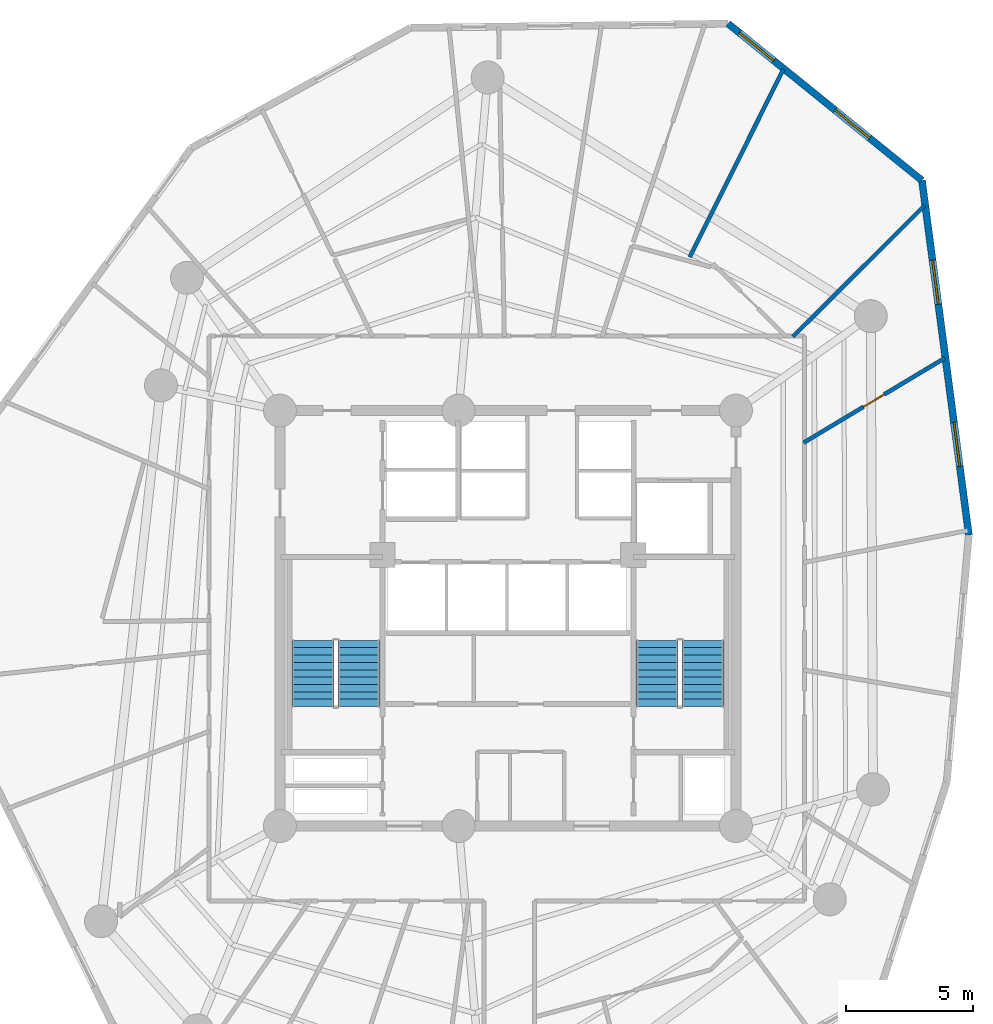
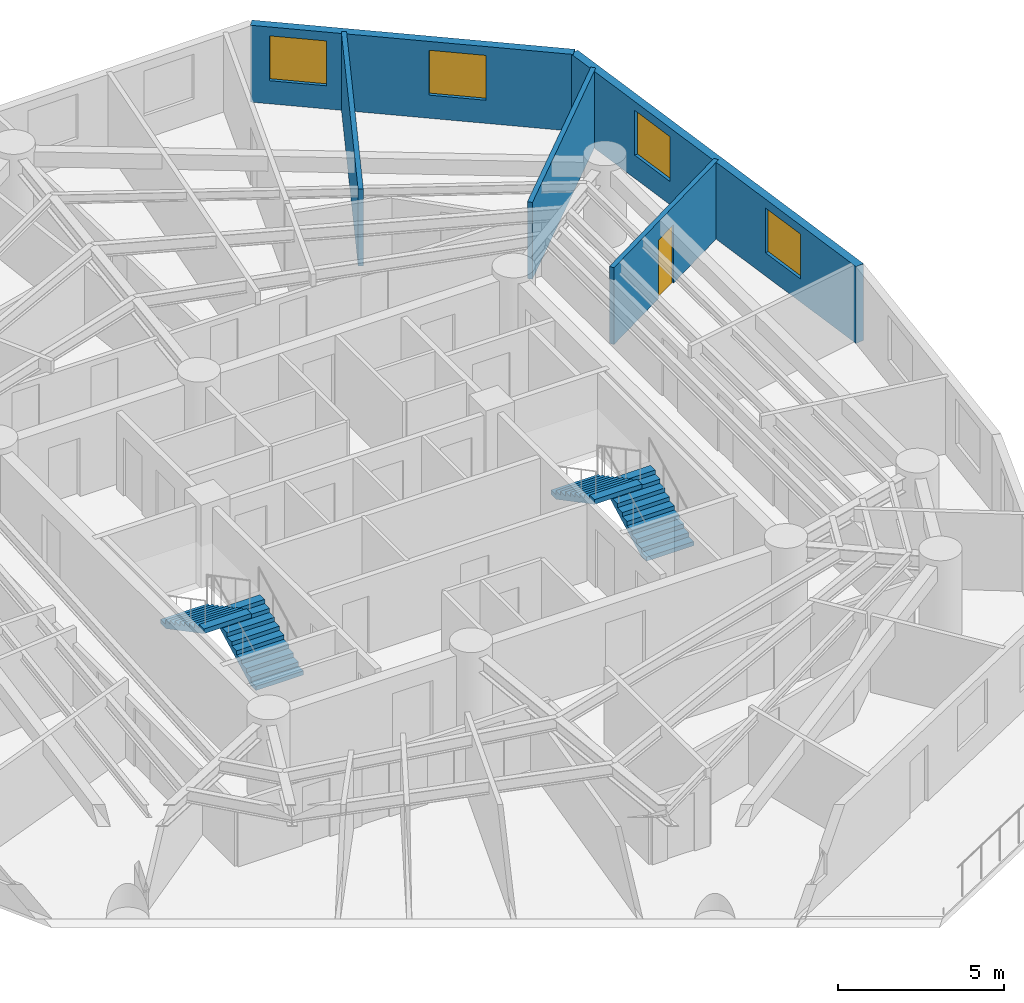
# One storey, part 7 of 8: 5 walls, 4 stair flights, 4 windows, 1 door, 5 openings, 2 elements without a shape of their own.
"""IFC4 building model written with IfcOpenShell, lengths in metres."""

from ifc_helpers import new_model, si_unit, direction, frame, frame_2d, origin, origin_with_axes, place, context, subcontext, project, spatial, polyline, rectangle, outline, extrude, source, transform, mapped, material, layer, layer_set, type_object, element, fill, aggregate, save


model = new_model("IFC4")

# Units and contexts
model_context = context("Model", 3, precision=1e-05, world=origin(), true_north=direction((0.0, 1.0)))
body_context = subcontext(model_context, "Body", "Model", "MODEL_VIEW")
ifc_project = project(units=[si_unit("LENGTHUNIT", "METRE"), si_unit("AREAUNIT", "SQUARE_METRE"), si_unit("VOLUMEUNIT", "CUBIC_METRE"), si_unit("PLANEANGLEUNIT", "RADIAN"), si_unit("MASSUNIT", "GRAM", prefix="KILO")], contexts=[model_context])

# Site, building, storey
site_placement = place(None, origin())
site = spatial("IfcSite", under=ifc_project, at=site_placement, CompositionType="ELEMENT")
building_placement = place(site_placement, origin())
building = spatial("IfcBuilding", under=site, at=building_placement, Name="Karkom Vertical University and Central Library", CompositionType="ELEMENT")
storey_placement = place(building_placement, frame((0.0, 0.0, 174.85009765625)))
storey = spatial("IfcBuildingStorey", under=building, at=storey_placement, Name="L50", CompositionType="ELEMENT", Elevation=174.85009765625)

# Wall, openings, windows
ifc_material_1 = material(Name="Brick-faced precast concrete C45/55", Category="masonry")
ifc_layer_1 = layer(ifc_material_1, 0.280029296875)
ifc_layer_set_1 = layer_set([ifc_layer_1], Name="Brick-faced precast concrete C45/55")
wall_type_1 = type_object("IfcWallType", Name="ENV-WL-BRK-280", PredefinedType="SOLIDWALL", material=ifc_layer_set_1)
wall_1_placement = place(storey_placement, frame((46.69677734375, 29.78466796875, 0.0), z_axis=(0.0, 0.0, 1.0), x_axis=(-0.131149267022, 0.991362632824, 0.0)))
wall_1 = element("IfcWall", 1, at=wall_1_placement, inside=storey, type_object=wall_type_1, Name="Level 50 Brick-Faced Precast Facade Wall 07", PredefinedType="SOLIDWALL", context=body_context, shape_type="SweptSolid", body=[
    extrude(rectangle(XDim=14.12548828125, YDim=0.280029296875, at=frame_2d((7.062744140625, 0.0))), origin(), (0.0, 0.0, 1.0), 2.824951171875),
])
opening_1_placement = place(wall_1_placement, frame((2.736572265625, 0.0, 0.85009765625)))
opening_1 = element("IfcOpeningElement", 2, at=opening_1_placement, cuts=wall_1, Name="Opening WN-08", PredefinedType="OPENING", context=body_context, shape_type="SweptSolid", body=[
    extrude(rectangle(XDim=1.75, YDim=1.64990234375, at=frame_2d((0.875, 0.824951171875))), frame((0.0, 0.14990234375, 0.0), z_axis=(0.0, -1.0, 0.0), x_axis=(1.0, 0.0, 0.0)), (0.0, 0.0, 1.0), 0.300048828125),
])
opening_2_placement = place(wall_1_placement, frame((9.1943359375, 0.0, 0.85009765625)))
opening_2 = element("IfcOpeningElement", 3, at=opening_2_placement, cuts=wall_1, Name="Opening WN-08", PredefinedType="OPENING", context=body_context, shape_type="SweptSolid", body=[
    extrude(rectangle(XDim=1.75, YDim=1.64990234375, at=frame_2d((0.875, 0.824951171875))), frame((0.0, 0.14990234375, 0.0), z_axis=(0.0, -1.0, 0.0), x_axis=(1.0, 0.0, 0.0)), (0.0, 0.0, 1.0), 0.300048828125),
])
ifc_material_2 = material(Name="Aluminium thermal-break frame with solar-control IGU", Category="aluminium")
window_type = type_object("IfcWindowType", Name="ENV-WIN-WN-08", PartitioningType="SINGLE_PANEL", PredefinedType="WINDOW", material=ifc_material_2)
shared_shape_1 = source(origin_with_axes(), body_context, "Body", "SweptSolid", [
    extrude(rectangle(XDim=1.75, YDim=1.64990234375, at=frame_2d((0.875, 0.824951171875))), frame((0.0, 0.030029296875, 0.0), z_axis=(0.0, -1.0, 0.0), x_axis=(1.0, 0.0, 0.0)), (0.0, 0.0, 1.0), 0.06005859375),
])
window_1_placement = place(opening_1_placement, origin())
window_1 = element("IfcWindow", 4, at=window_1_placement, inside=storey, type_object=window_type, Name="Level 50 Punched Window 7.1", OverallHeight=1.64990234375, OverallWidth=1.75, PartitioningType="SINGLE_PANEL", PredefinedType="WINDOW", context=body_context, shape_type="MappedRepresentation", body=[
    mapped(shared_shape_1, transform((0.0, 0.0, 0.0), scale=1.0)),
])
fill(opening_1, window_1)
window_2_placement = place(opening_2_placement, origin())
window_2 = element("IfcWindow", 5, at=window_2_placement, inside=storey, type_object=window_type, Name="Level 50 Punched Window 7.2", OverallHeight=1.64990234375, OverallWidth=1.75, PartitioningType="SINGLE_PANEL", PredefinedType="WINDOW", context=body_context, shape_type="MappedRepresentation", body=[
    mapped(shared_shape_1, transform((0.0, 0.0, 0.0), scale=1.0)),
])
fill(opening_2, window_2)

wall_2_placement = place(storey_placement, frame((44.84423828125, 43.7880859375, 0.0), z_axis=(0.0, 0.0, 1.0), x_axis=(-0.777531220347, 0.628844337961, 0.0)))
wall_2 = element("IfcWall", 6, at=wall_2_placement, inside=storey, type_object=wall_type_1, Name="Level 50 Brick-Faced Precast Facade Wall 08", PredefinedType="SOLIDWALL", context=body_context, shape_type="SweptSolid", body=[
    extrude(rectangle(XDim=9.84521484375, YDim=0.280029296875, at=frame_2d((4.922607421875, 0.0))), origin(), (0.0, 0.0, 1.0), 2.824951171875),
])
opening_3_placement = place(wall_2_placement, frame((2.657470703125, 0.0, 0.85009765625)))
opening_3 = element("IfcOpeningElement", 7, at=opening_3_placement, cuts=wall_2, Name="Opening WN-08", PredefinedType="OPENING", context=body_context, shape_type="SweptSolid", body=[
    extrude(rectangle(XDim=1.75, YDim=1.64990234375, at=frame_2d((0.875, 0.824951171875))), frame((0.0, 0.14990234375, 0.0), z_axis=(0.0, -1.0, 0.0), x_axis=(1.0, 0.0, 0.0)), (0.0, 0.0, 1.0), 0.300048828125),
])
opening_4_placement = place(wall_2_placement, frame((7.520263671875, 0.0, 0.85009765625)))
opening_4 = element("IfcOpeningElement", 8, at=opening_4_placement, cuts=wall_2, Name="Opening WN-08", PredefinedType="OPENING", context=body_context, shape_type="SweptSolid", body=[
    extrude(rectangle(XDim=1.75, YDim=1.64990234375, at=frame_2d((0.875, 0.824951171875))), frame((0.0, 0.14990234375, 0.0), z_axis=(0.0, -1.0, 0.0), x_axis=(1.0, 0.0, 0.0)), (0.0, 0.0, 1.0), 0.300048828125),
])
window_3_placement = place(opening_3_placement, origin())
window_3 = element("IfcWindow", 9, at=window_3_placement, inside=storey, type_object=window_type, Name="Level 50 Punched Window 8.1", OverallHeight=1.64990234375, OverallWidth=1.75, PartitioningType="SINGLE_PANEL", PredefinedType="WINDOW", context=body_context, shape_type="MappedRepresentation", body=[
    mapped(shared_shape_1, transform((0.0, 0.0, 0.0), scale=1.0)),
])
fill(opening_3, window_3)
window_4_placement = place(opening_4_placement, origin())
window_4 = element("IfcWindow", 10, at=window_4_placement, inside=storey, type_object=window_type, Name="Level 50 Punched Window 8.2", OverallHeight=1.64990234375, OverallWidth=1.75, PartitioningType="SINGLE_PANEL", PredefinedType="WINDOW", context=body_context, shape_type="MappedRepresentation", body=[
    mapped(shared_shape_1, transform((0.0, 0.0, 0.0), scale=1.0)),
])
fill(opening_4, window_4)

# Walls
ifc_material_3 = material(Name="Insulated metal-stud drywall 160mm", Category="gypsum")
ifc_layer_2 = layer(ifc_material_3, 0.159912109375)
ifc_layer_set_2 = layer_set([ifc_layer_2], Name="Insulated metal-stud drywall 160mm")
wall_type_2 = type_object("IfcWallType", Name="INT-WL-COR-160", PredefinedType="PARTITIONING", material=ifc_layer_set_2)
wall_3_placement = place(storey_placement, frame((35.6767578125, 40.759765625, 0.0), z_axis=(0.0, 0.0, 1.0), x_axis=(0.446200020904, 0.894933260833, 0.0)))
element("IfcWall", 11, at=wall_3_placement, inside=storey, type_object=wall_type_2, Name="Level 50 Interior Partition Wall L50-PW-023", PredefinedType="PARTITIONING", context=body_context, shape_type="SweptSolid", body=[
    extrude(rectangle(XDim=8.288330078125, YDim=0.159912109375, at=frame_2d((4.14404296875, 0.0))), origin(), (0.0, 0.0, 1.0), 2.824951171875),
])
wall_4_placement = place(storey_placement, frame((39.748046875, 37.6181640625, 0.0), z_axis=(0.0, 0.0, 1.0), x_axis=(0.708505208344, 0.705705582909, 0.0)))
element("IfcWall", 12, at=wall_4_placement, inside=storey, type_object=wall_type_2, Name="Level 50 Interior Partition Wall L50-PW-020", PredefinedType="PARTITIONING", context=body_context, shape_type="SweptSolid", body=[
    extrude(rectangle(XDim=7.3251953125, YDim=0.159912109375, at=frame_2d((3.66259765625, 0.0))), origin(), (0.0, 0.0, 1.0), 2.824951171875),
])

# Wall, opening, door
wall_5_placement = place(storey_placement, frame((40.17431640625, 33.432861328125, 0.0), z_axis=(0.0, 0.0, 1.0), x_axis=(0.857549328382, 0.514401739297, 0.0)))
wall_5 = element("IfcWall", 13, at=wall_5_placement, inside=storey, type_object=wall_type_2, Name="Level 50 Interior Partition Wall L50-PW-019", PredefinedType="PARTITIONING", context=body_context, shape_type="SweptSolid", body=[
    extrude(rectangle(XDim=6.4921875, YDim=0.159912109375, at=frame_2d((3.24609375, 0.0))), origin(), (0.0, 0.0, 1.0), 2.824951171875),
])
opening_5_placement = place(wall_5_placement, frame((2.753662109375, 0.0, 0.0)))
opening_5 = element("IfcOpeningElement", 14, at=opening_5_placement, cuts=wall_5, Name="Opening D-RM1", PredefinedType="OPENING", context=body_context, shape_type="SweptSolid", body=[
    extrude(rectangle(XDim=0.949951171875, YDim=2.14990234375, at=frame_2d((0.47509765625, 1.074951171875))), frame((0.0, 0.08984375, 0.0), z_axis=(0.0, -1.0, 0.0), x_axis=(1.0, 0.0, 0.0)), (0.0, 0.0, 1.0), 0.179931640625),
])
ifc_material_4 = material(Name="Solid-core oak veneer door", Category="wood")
door_type = type_object("IfcDoorType", Name="INT-DR-RM1", OperationType="NOTDEFINED", PredefinedType="DOOR", material=ifc_material_4)
shared_shape_2 = source(origin_with_axes(), body_context, "Body", "SweptSolid", [
    extrude(rectangle(XDim=0.949951171875, YDim=2.14990234375, at=frame_2d((0.47509765625, 1.074951171875))), frame((0.0, 0.02490234375, 0.0), z_axis=(0.0, -1.0, 0.0), x_axis=(1.0, 0.0, 0.0)), (0.0, 0.0, 1.0), 0.050048828125),
])
door_placement = place(opening_5_placement, origin())
door = element("IfcDoor", 15, at=door_placement, inside=storey, type_object=door_type, Name="Level 50 Room Entry Door 130", OperationType="SINGLE_SWING_LEFT", OverallHeight=2.14990234375, OverallWidth=0.949951171875, PredefinedType="DOOR", context=body_context, shape_type="MappedRepresentation", body=[
    mapped(shared_shape_2, transform((0.0, 0.0, 0.0), scale=1.0)),
])
fill(opening_5, door)

# Stair, stair flights
ifc_material_5 = material(Name="Concrete C45/55", Category="concrete")
stair_type = type_object("IfcStairType", Name="INT-STR-ST-MAIN", PredefinedType="HALF_TURN_STAIR", material=ifc_material_5)
stair_1_placement = place(storey_placement, origin())
stair_1 = element("IfcStair", 16, at=stair_1_placement, inside=storey, type_object=stair_type, Name="Level 50 Tower Protected Exit Stair ST-1", PredefinedType="HALF_TURN_STAIR")
stair_flight_type = type_object("IfcStairFlightType", Name="INT-SFL-ST-MAIN", PredefinedType="STRAIGHT", material=ifc_material_5)
stair_flight_1_placement = place(storey_placement, frame((22.614990234375, 23.02001953125, 0.0), z_axis=(0.0, 0.0, 1.0), x_axis=(0.0, 1.0, 0.0)))
stair_flight_1 = element("IfcStairFlight", 17, at=stair_flight_1_placement, type_object=stair_flight_type, Name="ST-1 flight 1", NumberOfRisers=10, NumberOfTreads=9, PredefinedType="STRAIGHT", RiserHeight=0.1525, TreadLength=0.29, context=body_context, shape_type="SweptSolid", body=[
    extrude(outline(polyline([(0.0, 0.0), (0.0, 0.152587890625), (0.2900390625, 0.152587890625), (0.2900390625, 0.304931640625), (0.580078125, 0.304931640625), (0.580078125, 0.45751953125), (0.8701171875, 0.45751953125), (0.8701171875, 0.610107421875), (1.159912109375, 0.610107421875), (1.159912109375, 0.762451171875), (1.449951171875, 0.762451171875), (1.449951171875, 0.9150390625), (1.739990234375, 0.9150390625), (1.739990234375, 1.0673828125), (2.030029296875, 1.0673828125), (2.030029296875, 1.219970703125), (2.320068359375, 1.219970703125), (2.320068359375, 1.37255859375), (2.610107421875, 1.37255859375), (2.610107421875, 1.52490234375), (2.610107421875, 1.203125), (0.322021484375, 0.0), (0.0, 0.0)])), frame((0.0, 0.824951171875, 0.0), z_axis=(0.0, -1.0, 0.0), x_axis=(1.0, 0.0, 0.0)), (0.0, 0.0, 1.0), 1.64990234375),
])
stair_flight_2_placement = place(storey_placement, frame((20.804931640625, 25.6298828125, 1.52490234375), z_axis=(0.0, 0.0, 1.0), x_axis=(0.0, -1.0, 0.0)))
stair_flight_2 = element("IfcStairFlight", 18, at=stair_flight_2_placement, type_object=stair_flight_type, Name="ST-1 flight 2", NumberOfRisers=10, NumberOfTreads=9, PredefinedType="STRAIGHT", RiserHeight=0.1525, TreadLength=0.29, context=body_context, shape_type="SweptSolid", body=[
    extrude(outline(polyline([(0.0, 0.0), (0.0, 0.152587890625), (0.2900390625, 0.152587890625), (0.2900390625, 0.304931640625), (0.580078125, 0.304931640625), (0.580078125, 0.45751953125), (0.8701171875, 0.45751953125), (0.8701171875, 0.610107421875), (1.159912109375, 0.610107421875), (1.159912109375, 0.762451171875), (1.449951171875, 0.762451171875), (1.449951171875, 0.9150390625), (1.739990234375, 0.9150390625), (1.739990234375, 1.0673828125), (2.030029296875, 1.0673828125), (2.030029296875, 1.219970703125), (2.320068359375, 1.219970703125), (2.320068359375, 1.37255859375), (2.610107421875, 1.37255859375), (2.610107421875, 1.52490234375), (2.610107421875, 1.203125), (0.322021484375, 0.0), (0.0, 0.0)])), frame((0.0, 0.824951171875, 0.0), z_axis=(0.0, -1.0, 0.0), x_axis=(1.0, 0.0, 0.0)), (0.0, 0.0, 1.0), 1.64990234375),
])
aggregate(stair_1, [stair_flight_1, stair_flight_2])

stair_2_placement = place(storey_placement, origin())
stair_2 = element("IfcStair", 19, at=stair_2_placement, inside=storey, type_object=stair_type, Name="Level 50 Tower Protected Exit Stair ST-2", PredefinedType="HALF_TURN_STAIR")
stair_flight_3_placement = place(storey_placement, frame((36.195068359375, 23.02001953125, 0.0), z_axis=(0.0, 0.0, 1.0), x_axis=(0.0, 1.0, 0.0)))
stair_flight_3 = element("IfcStairFlight", 20, at=stair_flight_3_placement, type_object=stair_flight_type, Name="ST-2 flight 1", NumberOfRisers=10, NumberOfTreads=9, PredefinedType="STRAIGHT", RiserHeight=0.1525, TreadLength=0.29, context=body_context, shape_type="SweptSolid", body=[
    extrude(outline(polyline([(0.0, 0.0), (0.0, 0.152587890625), (0.2900390625, 0.152587890625), (0.2900390625, 0.304931640625), (0.580078125, 0.304931640625), (0.580078125, 0.45751953125), (0.8701171875, 0.45751953125), (0.8701171875, 0.610107421875), (1.159912109375, 0.610107421875), (1.159912109375, 0.762451171875), (1.449951171875, 0.762451171875), (1.449951171875, 0.9150390625), (1.739990234375, 0.9150390625), (1.739990234375, 1.0673828125), (2.030029296875, 1.0673828125), (2.030029296875, 1.219970703125), (2.320068359375, 1.219970703125), (2.320068359375, 1.37255859375), (2.610107421875, 1.37255859375), (2.610107421875, 1.52490234375), (2.610107421875, 1.203125), (0.322021484375, 0.0), (0.0, 0.0)])), frame((0.0, 0.824951171875, 0.0), z_axis=(0.0, -1.0, 0.0), x_axis=(1.0, 0.0, 0.0)), (0.0, 0.0, 1.0), 1.64990234375),
])
stair_flight_4_placement = place(storey_placement, frame((34.385009765625, 25.6298828125, 1.52490234375), z_axis=(0.0, 0.0, 1.0), x_axis=(0.0, -1.0, 0.0)))
stair_flight_4 = element("IfcStairFlight", 21, at=stair_flight_4_placement, type_object=stair_flight_type, Name="ST-2 flight 2", NumberOfRisers=10, NumberOfTreads=9, PredefinedType="STRAIGHT", RiserHeight=0.1525, TreadLength=0.29, context=body_context, shape_type="SweptSolid", body=[
    extrude(outline(polyline([(0.0, 0.0), (0.0, 0.152587890625), (0.2900390625, 0.152587890625), (0.2900390625, 0.304931640625), (0.580078125, 0.304931640625), (0.580078125, 0.45751953125), (0.8701171875, 0.45751953125), (0.8701171875, 0.610107421875), (1.159912109375, 0.610107421875), (1.159912109375, 0.762451171875), (1.449951171875, 0.762451171875), (1.449951171875, 0.9150390625), (1.739990234375, 0.9150390625), (1.739990234375, 1.0673828125), (2.030029296875, 1.0673828125), (2.030029296875, 1.219970703125), (2.320068359375, 1.219970703125), (2.320068359375, 1.37255859375), (2.610107421875, 1.37255859375), (2.610107421875, 1.52490234375), (2.610107421875, 1.203125), (0.322021484375, 0.0), (0.0, 0.0)])), frame((0.0, 0.824951171875, 0.0), z_axis=(0.0, -1.0, 0.0), x_axis=(1.0, 0.0, 0.0)), (0.0, 0.0, 1.0), 1.64990234375),
])
aggregate(stair_2, [stair_flight_3, stair_flight_4])

save(model, "model.ifc")
